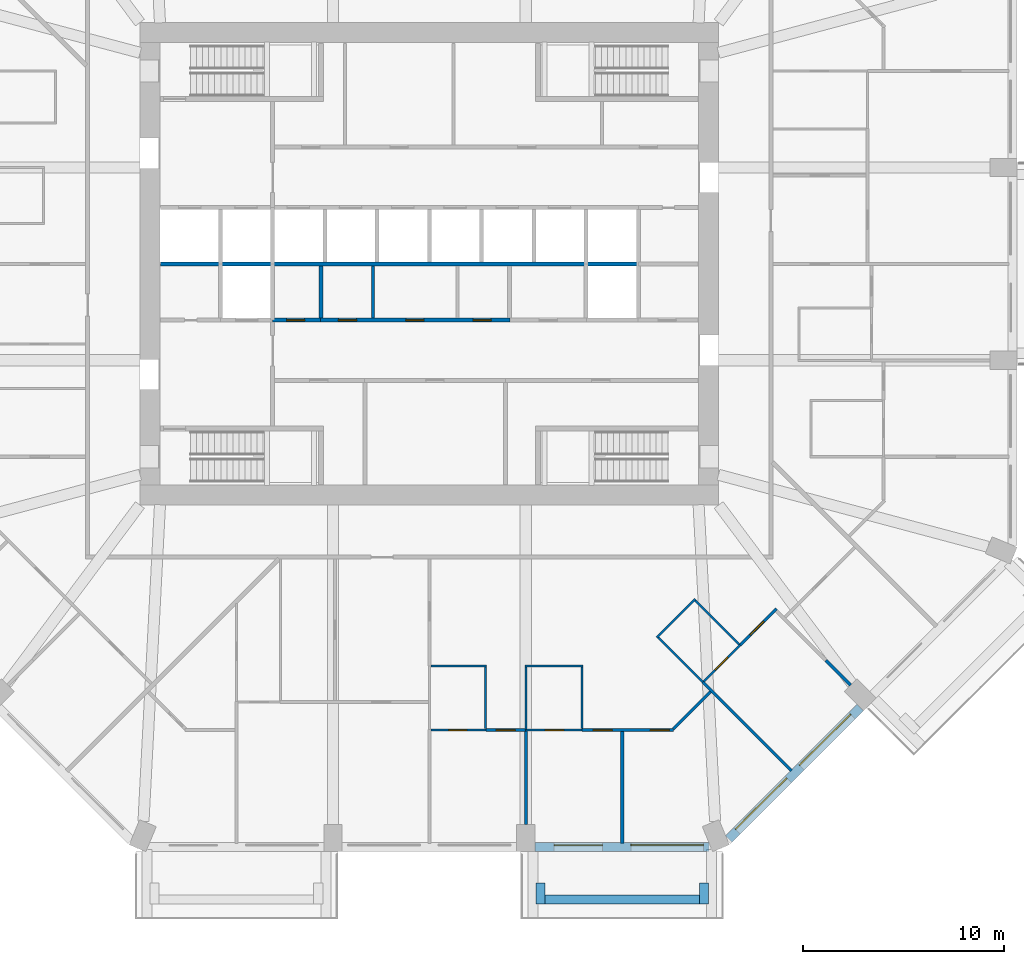
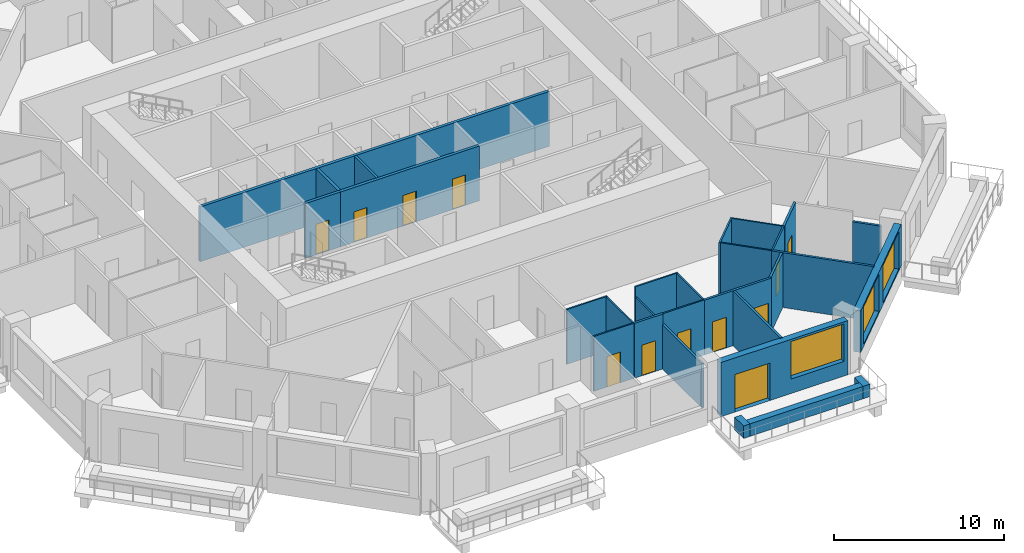
# One storey, part 5 of 13: 29 walls, 12 doors, 3 windows, 15 openings.
"""IFC4 building model written with IfcOpenShell, lengths in metres."""

import ifcopenshell
import ifcopenshell.guid

model = None  # the IFC model being written
_history = None  # IfcOwnerHistory: only IFC2X3 demands one
_inside = {}  # id of a spatial element -> (the spatial element, [elements in it])
_under = {}  # id of a project, library or spatial element -> (it, [spatial elements below it])
_declared = {}  # id of a project -> (the project, [libraries it declares])
_typed = {}  # id of a type object -> (the type object, [elements of that type])
_made_of = {}  # id of a material, layer set ... -> (it, [elements and type objects made of it])


def new_model(schema):
    """Start an empty IFC model of exactly this schema.

    Asked for "IFC4X3", IfcOpenShell would pick the latest addendum, in which some entities
    have other attributes; the version numbers below select the first issue.
    IFC2X3 requires an IfcOwnerHistory on every rooted entity: one is made here for all.
    """
    global model, _history
    if schema == "IFC4X3":
        model = ifcopenshell.file(schema_version=(4, 3, 0, 0))
    else:
        model = ifcopenshell.file(schema=schema)
    _inside.clear()
    _under.clear()
    _declared.clear()
    _typed.clear()
    _made_of.clear()
    _history = None
    if model.schema == "IFC2X3":
        org = make("IfcOrganization", Name="unknown")
        user = make(
            "IfcPersonAndOrganization",
            ThePerson=make("IfcPerson", FamilyName="unknown"),
            TheOrganization=org,
        )
        app = make(
            "IfcApplication",
            ApplicationDeveloper=org,
            Version="unknown",
            ApplicationFullName="unknown",
            ApplicationIdentifier="unknown",
        )
        _history = make(
            "IfcOwnerHistory",
            OwningUser=user,
            OwningApplication=app,
            ChangeAction="ADDED",
            CreationDate=0,
        )
    return model


def make(cls, **values):
    """One entity of the class cls with the attributes given. An attribute that is None is left unset."""
    return model.create_entity(
        cls, **{name: value for name, value in values.items() if value is not None}
    )


def rooted(cls, **values):
    """An entity with a GlobalId (a new one), such as an element, a storey or a relation."""
    return make(cls, GlobalId=ifcopenshell.guid.new(), OwnerHistory=_history, **values)


def si_unit(unit_type, name, prefix=None):
    """IfcSIUnit, for example si_unit("LENGTHUNIT", "METRE", prefix="MILLI")."""
    return make("IfcSIUnit", UnitType=unit_type, Prefix=prefix, Name=name)


def assignment(units):
    """IfcUnitAssignment: the units of a project."""
    return None if units is None else make("IfcUnitAssignment", Units=units)


def point(xyz):
    """IfcCartesianPoint."""
    return None if xyz is None else make("IfcCartesianPoint", Coordinates=xyz)


def direction(xyz):
    """IfcDirection."""
    return None if xyz is None else make("IfcDirection", DirectionRatios=xyz)


def frame(location, z_axis=None, x_axis=None):
    """IfcAxis2Placement3D, a coordinate frame: its origin and axes. An axis left out is left unset."""
    return make(
        "IfcAxis2Placement3D",
        Location=point(location),
        Axis=direction(z_axis),
        RefDirection=direction(x_axis),
    )


def frame_2d(location, x_axis=None):
    """IfcAxis2Placement2D, a coordinate frame in the plane: its origin and x axis."""
    return make(
        "IfcAxis2Placement2D", Location=point(location), RefDirection=direction(x_axis)
    )


def origin():
    """The frame at (0, 0, 0) with its axes left unset."""
    return frame((0.0, 0.0, 0.0))


def place(relative_to, where):
    """IfcLocalPlacement: puts the frame where relative to a parent placement (None: the world)."""
    return make(
        "IfcLocalPlacement", PlacementRelTo=relative_to, RelativePlacement=where
    )


def context(
    kind, dimensions, precision=None, world=None, true_north=None, identifier=None
):
    """IfcGeometricRepresentationContext, for example the 3D "Model" context."""
    return make(
        "IfcGeometricRepresentationContext",
        ContextIdentifier=identifier,
        ContextType=kind,
        CoordinateSpaceDimension=dimensions,
        Precision=precision,
        WorldCoordinateSystem=world,
        TrueNorth=true_north,
    )


def subcontext(parent, identifier, kind, view, scale=None):
    """IfcGeometricRepresentationSubContext, for example "Body" below "Model"."""
    return make(
        "IfcGeometricRepresentationSubContext",
        ContextIdentifier=identifier,
        ContextType=kind,
        ParentContext=parent,
        TargetScale=scale,
        TargetView=view,
    )


def project(units=None, contexts=None):
    """IfcProject with its units and contexts."""
    return rooted(
        "IfcProject",
        Name="project",
        RepresentationContexts=contexts,
        UnitsInContext=assignment(units),
    )


def spatial(cls, under=None, at=None, **own):
    """A site, building, storey or space (cls), placed at a placement, below another one or the project."""
    s = rooted(cls, ObjectPlacement=at, **own)
    if under is not None:
        _under.setdefault(under.id(), (under, []))[1].append(s)
    return s


def profile(cls, at=None, kind="AREA", **sizes):
    """A parametric profile (cls). Its sizes go by their IFC names, for example OverallWidth=200.0."""
    return make(cls, ProfileType=kind, Position=at, **sizes)


def rectangle(**sizes):
    """IfcRectangleProfileDef."""
    return profile("IfcRectangleProfileDef", **sizes)


def extrude(swept, where, along, depth):
    """IfcExtrudedAreaSolid: the profile swept, set in the frame where, extruded along a direction by depth."""
    return make(
        "IfcExtrudedAreaSolid",
        SweptArea=swept,
        Position=where,
        ExtrudedDirection=direction(along),
        Depth=depth,
    )


def shape(context_of_items, identifier, shape_type, items):
    """IfcShapeRepresentation: the items that make up one representation, for example the "Body"."""
    return make(
        "IfcShapeRepresentation",
        ContextOfItems=context_of_items,
        RepresentationIdentifier=identifier,
        RepresentationType=shape_type,
        Items=items,
    )


def material(Name=None, Category=None):
    """IfcMaterial."""
    return make("IfcMaterial", Name=Name, Category=Category)


def layer(
    of_material, thickness, ventilated=None, Name=None, Category=None, Priority=None
):
    """IfcMaterialLayer: one layer of a wall or slab, of a material (None: an air gap)."""
    return make(
        "IfcMaterialLayer",
        Material=of_material,
        LayerThickness=thickness,
        IsVentilated=ventilated,
        Name=Name,
        Category=Category,
        Priority=Priority,
    )


def layer_set(layers, Name=None):
    """IfcMaterialLayerSet."""
    return make("IfcMaterialLayerSet", MaterialLayers=layers, LayerSetName=Name)


def made_of(thing, what):
    """Note that an element or type object is made of a material, layer set ...; save() writes the relation."""
    if what is not None:
        _made_of.setdefault(what.id(), (what, []))[1].append(thing)
    return thing


def type_object(cls, material=None, **own):
    """A type object (cls), such as IfcWallType, which elements share."""
    return made_of(rooted(cls, **own), material)


def element(
    cls,
    number,
    at=None,
    inside=None,
    cuts=None,
    type_object=None,
    material=None,
    context=None,
    identifier="Body",
    shape_type=None,
    held_by="IfcProductDefinitionShape",
    body=None,
    shapes=None,
    **own,
):
    """One element of the class cls, such as IfcWall. Its Tag is "e" and its number.

    at: its placement. inside: the storey or other place that contains it. cuts: it is an
    opening in that element (IfcRelVoidsElement). A single representation is given by context,
    identifier, shape_type and body (its items); several are given by shapes. held_by: the class
    of the entity that holds the representations. save() writes the other relations.
    """
    e = rooted(cls, Tag="e%d" % number, ObjectPlacement=at, **own)
    if body is not None:
        shapes = [shape(context, identifier, shape_type, body)]
    if shapes is not None:
        e.Representation = make(held_by, Representations=shapes)
    if inside is not None:
        _inside.setdefault(inside.id(), (inside, []))[1].append(e)
    if cuts is not None:
        rooted(
            "IfcRelVoidsElement", RelatingBuildingElement=cuts, RelatedOpeningElement=e
        )
    if type_object is not None:
        _typed.setdefault(type_object.id(), (type_object, []))[1].append(e)
    return made_of(e, material)


def fill(opening, filler):
    """IfcRelFillsElement: the door or window that sits in an opening."""
    return rooted(
        "IfcRelFillsElement",
        RelatingOpeningElement=opening,
        RelatedBuildingElement=filler,
    )


def aggregate(whole, parts):
    """IfcRelAggregates: a whole, such as a stair, and the parts it consists of."""
    return rooted("IfcRelAggregates", RelatingObject=whole, RelatedObjects=parts)


def save(model, path):
    """Write the relations noted so far, then the file.

    IfcRelAggregates (storeys below a building ...), IfcRelContainedInSpatialStructure (elements
    in a storey), IfcRelDefinesByType, IfcRelAssociatesMaterial and IfcRelDeclares: one each for
    every whole, place, type object, material and project.
    """
    for whole, parts in _under.values():
        aggregate(whole, parts)
    for where, things in _inside.values():
        rooted(
            "IfcRelContainedInSpatialStructure",
            RelatedElements=things,
            RelatingStructure=where,
        )
    for kind, things in _typed.values():
        rooted("IfcRelDefinesByType", RelatedObjects=things, RelatingType=kind)
    for what, things in _made_of.values():
        rooted("IfcRelAssociatesMaterial", RelatedObjects=things, RelatingMaterial=what)
    for by, libraries in _declared.values():
        rooted("IfcRelDeclares", RelatingContext=by, RelatedDefinitions=libraries)
    model.write(path)


model = new_model("IFC4")

# Units and contexts
model_context = context("Model", 3, precision=1e-05, world=origin(), true_north=direction((0.0, 1.0)))
body_context = subcontext(model_context, "Body", "Model", "MODEL_VIEW")
ifc_project = project(units=[si_unit("LENGTHUNIT", "METRE"), si_unit("AREAUNIT", "SQUARE_METRE"), si_unit("VOLUMEUNIT", "CUBIC_METRE"), si_unit("PLANEANGLEUNIT", "RADIAN"), si_unit("MASSUNIT", "GRAM", prefix="KILO")], contexts=[model_context])

# Site, building, storey
site_placement = place(None, origin())
site = spatial("IfcSite", under=ifc_project, at=site_placement, CompositionType="ELEMENT")
building_placement = place(site_placement, origin())
building = spatial("IfcBuilding", under=site, at=building_placement, Name="Msitu Wima Residences", CompositionType="ELEMENT")
storey_placement = place(building_placement, frame((0.0, 0.0, 71.699951171875)))
storey = spatial("IfcBuildingStorey", under=building, at=storey_placement, Name="L16", CompositionType="ELEMENT", Elevation=71.699951171875)

# Walls
ifc_material_1 = material(Name="Facing brick")
ifc_layer_1 = layer(ifc_material_1, 0.06494140625, Name="Facing brick")
ifc_material_2 = material(Name="Concrete C40/50", Category="concrete")
ifc_layer_2 = layer(ifc_material_2, 0.156005859375, Name="Concrete C40/50")
ifc_material_3 = material(Name="Waterproofing membrane")
ifc_layer_3 = layer(ifc_material_3, 0.00390625, Name="Waterproofing membrane")
ifc_material_4 = material(Name="Planting soil and planting")
ifc_layer_4 = layer(ifc_material_4, 0.22509765625, Name="Planting soil and planting")
ifc_layer_set_1 = layer_set([ifc_layer_1, ifc_layer_2, ifc_layer_3, ifc_layer_4], Name="Concrete C40/50")
wall_type_1 = type_object("IfcWallType", Name="Balcony planter PLANTER PL450", PredefinedType="USERDEFINED", material=ifc_layer_set_1)
wall_1_placement = place(storey_placement, frame((5.75, -31.625, 0.0), z_axis=(0.0, 0.0, 1.0), x_axis=(1.0, 0.0, 0.0)))
element("IfcWall", 1, at=wall_1_placement, inside=storey, type_object=wall_type_1, Name="Balcony planter S2 L16", ObjectType="PLANTER", PredefinedType="USERDEFINED", context=body_context, shape_type="SweptSolid", body=[
    extrude(rectangle(XDim=7.699951171875, YDim=0.449951171875, at=frame_2d((3.85009765625, 0.0))), origin(), (0.0, 0.0, 1.0), 0.900146484375),
])
for number, where, z_axis, x_axis, name in (
    (2, (5.52490234375, -30.800048828125, 0.0), (0.0, 0.0, 1.0), (0.0, -1.0, 0.0), "Balcony planter S2 L16"),
    (3, (13.675048828125, -30.800048828125, 0.0), (0.0, 0.0, 1.0), (0.0, -1.0, 0.0), "Balcony planter S2 L16"),
):
    element("IfcWall", number, at=place(storey_placement, frame(where, z_axis=z_axis, x_axis=x_axis)), inside=storey, type_object=wall_type_1, Name=name, ObjectType="PLANTER", PredefinedType="USERDEFINED", context=body_context, shape_type="SweptSolid", body=[
        extrude(rectangle(XDim=1.050048828125, YDim=0.449951171875, at=frame_2d((0.52490234375, 0.0))), origin(), (0.0, 0.0, 1.0), 0.900146484375),
    ])

# Wall, openings, door, window
ifc_material_5 = material(Name="Brick (red buff mix)", Category="masonry")
ifc_layer_5 = layer(ifc_material_5, 0.449951171875)
ifc_layer_set_2 = layer_set([ifc_layer_5], Name="Brick (red buff mix)")
wall_type_2 = type_object("IfcWallType", Name="Brick infill wall BW450", PredefinedType="SOLIDWALL", material=ifc_layer_set_2)
wall_2_placement = place(storey_placement, frame((5.25, -29.02490234375, 0.0), z_axis=(0.0, 0.0, 1.0), x_axis=(1.0, 0.0, 0.0)))
wall_2 = element("IfcWall", 4, at=wall_2_placement, inside=storey, type_object=wall_type_2, Name="Brick infill wall L16 S2", PredefinedType="SOLIDWALL", context=body_context, shape_type="SweptSolid", body=[
    extrude(rectangle(XDim=8.662841796875, YDim=0.449951171875, at=frame_2d((4.33154296875, 0.0))), origin(), (0.0, 0.0, 1.0), 3.900146484375),
])
opening_1_placement = place(wall_2_placement, frame((0.9658203125, 0.0, 0.0)))
opening_1 = element("IfcOpeningElement", 5, at=opening_1_placement, cuts=wall_2, Name="Opening D16-17.007", PredefinedType="OPENING", context=body_context, shape_type="SweptSolid", body=[
    extrude(rectangle(XDim=2.39990234375, YDim=2.699951171875, at=frame_2d((1.199951171875, 1.35009765625))), frame((0.0, 0.23486328125, 0.0), z_axis=(0.0, -1.0, 0.0), x_axis=(1.0, 0.0, 0.0)), (0.0, 0.0, 1.0), 0.469970703125),
])
opening_2_placement = place(wall_2_placement, frame((4.781494140625, 0.0, 1.050048828125)))
opening_2 = element("IfcOpeningElement", 6, at=opening_2_placement, cuts=wall_2, Name="Opening W16-17.019", PredefinedType="OPENING", context=body_context, shape_type="SweptSolid", body=[
    extrude(rectangle(XDim=3.60009765625, YDim=2.699951171875, at=frame_2d((1.800048828125, 1.35009765625))), frame((0.0, 0.23486328125, 0.0), z_axis=(0.0, -1.0, 0.0), x_axis=(1.0, 0.0, 0.0)), (0.0, 0.0, 1.0), 0.469970703125),
])
ifc_material_6 = material(Name="Anodised aluminium, bronze finish, clear low-emissivity double glazing", Category="aluminium")
door_type_1 = type_object("IfcDoorType", Name="Balcony door D2400x2700", OperationType="SLIDING_TO_LEFT", PredefinedType="DOOR", material=ifc_material_6)
door_1_placement = place(opening_1_placement, origin())
door_1 = element("IfcDoor", 7, at=door_1_placement, inside=storey, type_object=door_type_1, Name="Balcony door L16 S2", OperationType="SINGLE_SWING_LEFT", OverallHeight=2.699951171875, OverallWidth=2.39990234375, PredefinedType="DOOR", context=body_context, shape_type="SweptSolid", body=[
    extrude(rectangle(XDim=2.39990234375, YDim=2.699951171875, at=frame_2d((1.199951171875, 1.35009765625))), frame((0.0, 0.1298828125, 0.0), z_axis=(0.0, -1.0, 0.0), x_axis=(1.0, 0.0, 0.0)), (0.0, 0.0, 1.0), 0.050048828125),
])
fill(opening_1, door_1)
window_type = type_object("IfcWindowType", Name="Window W3600x2700", PartitioningType="DOUBLE_PANEL_VERTICAL", PredefinedType="WINDOW", material=ifc_material_6)
window_1_placement = place(opening_2_placement, origin())
window_1 = element("IfcWindow", 8, at=window_1_placement, inside=storey, type_object=window_type, Name="Window L16 S2.2", OverallHeight=2.699951171875, OverallWidth=3.60009765625, PartitioningType="SINGLE_PANEL", PredefinedType="WINDOW", context=body_context, shape_type="SweptSolid", body=[
    extrude(rectangle(XDim=3.60009765625, YDim=2.699951171875, at=frame_2d((1.800048828125, 1.35009765625))), frame((0.0, 0.135009765625, 0.0), z_axis=(0.0, -1.0, 0.0), x_axis=(1.0, 0.0, 0.0)), (0.0, 0.0, 1.0), 0.06005859375),
])
fill(opening_2, window_1)

# Wall, openings, windows
wall_3_placement = place(storey_placement, frame((14.903564453125, -28.61474609375, 0.900146484375), z_axis=(0.0, 0.0, 1.0), x_axis=(0.707106781187, 0.707106781187, 0.0)))
wall_3 = element("IfcWall", 9, at=wall_3_placement, inside=storey, type_object=wall_type_2, Name="Brick infill wall L16 SE0", PredefinedType="SOLIDWALL", context=body_context, shape_type="SweptSolid", body=[
    extrude(rectangle(XDim=9.2451171875, YDim=0.449951171875, at=frame_2d((4.62255859375, 0.0))), origin(), (0.0, 0.0, 1.0), 3.0),
])
opening_3_placement = place(wall_3_placement, frame((0.572509765625, 0.0, 0.14990234375)))
opening_3 = element("IfcOpeningElement", 10, at=opening_3_placement, cuts=wall_3, Name="Opening W16-17.020", PredefinedType="OPENING", context=body_context, shape_type="SweptSolid", body=[
    extrude(rectangle(XDim=3.60009765625, YDim=2.699951171875, at=frame_2d((1.800048828125, 1.35009765625))), frame((0.0, 0.23486328125, 0.0), z_axis=(0.0, -1.0, 0.0), x_axis=(1.0, 0.0, 0.0)), (0.0, 0.0, 1.0), 0.469970703125),
])
opening_4_placement = place(wall_3_placement, frame((5.072509765625, 0.0, 0.14990234375)))
opening_4 = element("IfcOpeningElement", 11, at=opening_4_placement, cuts=wall_3, Name="Opening W16-17.021", PredefinedType="OPENING", context=body_context, shape_type="SweptSolid", body=[
    extrude(rectangle(XDim=3.60009765625, YDim=2.699951171875, at=frame_2d((1.800048828125, 1.35009765625))), frame((0.0, 0.23486328125, 0.0), z_axis=(0.0, -1.0, 0.0), x_axis=(1.0, 0.0, 0.0)), (0.0, 0.0, 1.0), 0.469970703125),
])
window_2_placement = place(opening_3_placement, origin())
window_2 = element("IfcWindow", 12, at=window_2_placement, inside=storey, type_object=window_type, Name="Window L16 SE0.1", OverallHeight=2.699951171875, OverallWidth=3.60009765625, PartitioningType="SINGLE_PANEL", PredefinedType="WINDOW", context=body_context, shape_type="SweptSolid", body=[
    extrude(rectangle(XDim=3.60009765625, YDim=2.699951171875, at=frame_2d((1.800048828125, 1.35009765625))), frame((0.0, 0.135009765625, 0.0), z_axis=(0.0, -1.0, 0.0), x_axis=(1.0, 0.0, 0.0)), (0.0, 0.0, 1.0), 0.06005859375),
])
fill(opening_3, window_2)
window_3_placement = place(opening_4_placement, origin())
window_3 = element("IfcWindow", 13, at=window_3_placement, inside=storey, type_object=window_type, Name="Window L16 SE0.2", OverallHeight=2.699951171875, OverallWidth=3.60009765625, PartitioningType="SINGLE_PANEL", PredefinedType="WINDOW", context=body_context, shape_type="SweptSolid", body=[
    extrude(rectangle(XDim=3.60009765625, YDim=2.699951171875, at=frame_2d((1.800048828125, 1.35009765625))), frame((0.0, 0.135009765625, 0.0), z_axis=(0.0, -1.0, 0.0), x_axis=(1.0, 0.0, 0.0)), (0.0, 0.0, 1.0), 0.06005859375),
])
fill(opening_4, window_3)

# Wall, openings, doors
ifc_material_7 = material(Name="Plaster")
ifc_layer_6 = layer(ifc_material_7, 0.011962890625, Name="Plaster")
ifc_material_8 = material(Name="Concrete blockwork", Category="masonry")
ifc_layer_7 = layer(ifc_material_8, 0.176025390625, Name="Concrete blockwork")
ifc_layer_8 = layer(ifc_material_7, 0.011962890625, Name="Plaster")
ifc_layer_set_3 = layer_set([ifc_layer_6, ifc_layer_7, ifc_layer_8], Name="Concrete blockwork")
wall_type_3 = type_object("IfcWallType", Name="Corridor wall FW200", PredefinedType="PARTITIONING", material=ifc_layer_set_3)
wall_4_placement = place(storey_placement, frame((-5.419921875, -2.800048828125, 0.0), z_axis=(0.0, 0.0, 1.0), x_axis=(1.0, 0.0, 0.0)))
wall_4 = element("IfcWall", 14, at=wall_4_placement, inside=storey, type_object=wall_type_3, Name="Corridor wall", PredefinedType="PARTITIONING", context=body_context, shape_type="SweptSolid", body=[
    extrude(rectangle(XDim=9.43994140625, YDim=0.199951171875, at=frame_2d((4.719970703125, 0.0))), origin(), (0.0, 0.0, 1.0), 3.949951171875),
])
opening_5_placement = place(wall_4_placement, frame((0.89990234375, 0.0, 0.0)))
opening_5 = element("IfcOpeningElement", 15, at=opening_5_placement, cuts=wall_4, Name="Opening D16-17.032", PredefinedType="OPENING", context=body_context, shape_type="SweptSolid", body=[
    extrude(rectangle(XDim=0.89990234375, YDim=2.199951171875, at=frame_2d((0.449951171875, 1.10009765625))), frame((0.0, 0.10986328125, 0.0), z_axis=(0.0, -1.0, 0.0), x_axis=(1.0, 0.0, 0.0)), (0.0, 0.0, 1.0), 0.219970703125),
])
opening_6_placement = place(wall_4_placement, frame((4.25, 0.0, 0.0)))
opening_6 = element("IfcOpeningElement", 16, at=opening_6_placement, cuts=wall_4, Name="Opening D16-17.033", PredefinedType="OPENING", context=body_context, shape_type="SweptSolid", body=[
    extrude(rectangle(XDim=0.89990234375, YDim=2.199951171875, at=frame_2d((0.449951171875, 1.10009765625))), frame((0.0, 0.10986328125, 0.0), z_axis=(0.0, -1.0, 0.0), x_axis=(1.0, 0.0, 0.0)), (0.0, 0.0, 1.0), 0.219970703125),
])
opening_7_placement = place(wall_4_placement, frame((7.60009765625, 0.0, 0.0)))
opening_7 = element("IfcOpeningElement", 17, at=opening_7_placement, cuts=wall_4, Name="Opening D16-17.034", PredefinedType="OPENING", context=body_context, shape_type="SweptSolid", body=[
    extrude(rectangle(XDim=0.89990234375, YDim=2.199951171875, at=frame_2d((0.449951171875, 1.10009765625))), frame((0.0, 0.10986328125, 0.0), z_axis=(0.0, -1.0, 0.0), x_axis=(1.0, 0.0, 0.0)), (0.0, 0.0, 1.0), 0.219970703125),
])
ifc_material_9 = material(Name="Timber flush door", Category="wood")
door_type_2 = type_object("IfcDoorType", Name="Service door D05 900x2200", OperationType="SINGLE_SWING_LEFT", PredefinedType="DOOR", material=ifc_material_9)
door_2_placement = place(opening_5_placement, origin())
door_2 = element("IfcDoor", 18, at=door_2_placement, inside=storey, type_object=door_type_2, Name="Service door", OperationType="SINGLE_SWING_RIGHT", OverallHeight=2.199951171875, OverallWidth=0.89990234375, PredefinedType="DOOR", context=body_context, shape_type="SweptSolid", body=[
    extrude(rectangle(XDim=0.89990234375, YDim=2.199951171875, at=frame_2d((0.449951171875, 1.10009765625))), frame((0.0, 0.02490234375, 0.0), z_axis=(0.0, -1.0, 0.0), x_axis=(1.0, 0.0, 0.0)), (0.0, 0.0, 1.0), 0.050048828125),
])
fill(opening_5, door_2)
door_3_placement = place(opening_6_placement, origin())
door_3 = element("IfcDoor", 19, at=door_3_placement, inside=storey, type_object=door_type_2, Name="Service door", OperationType="SINGLE_SWING_LEFT", OverallHeight=2.199951171875, OverallWidth=0.89990234375, PredefinedType="DOOR", context=body_context, shape_type="SweptSolid", body=[
    extrude(rectangle(XDim=0.89990234375, YDim=2.199951171875, at=frame_2d((0.449951171875, 1.10009765625))), frame((0.0, 0.02490234375, 0.0), z_axis=(0.0, -1.0, 0.0), x_axis=(1.0, 0.0, 0.0)), (0.0, 0.0, 1.0), 0.050048828125),
])
fill(opening_6, door_3)
door_4_placement = place(opening_7_placement, origin())
door_4 = element("IfcDoor", 20, at=door_4_placement, inside=storey, type_object=door_type_2, Name="Service door", OperationType="SINGLE_SWING_LEFT", OverallHeight=2.199951171875, OverallWidth=0.89990234375, PredefinedType="DOOR", context=body_context, shape_type="SweptSolid", body=[
    extrude(rectangle(XDim=0.89990234375, YDim=2.199951171875, at=frame_2d((0.449951171875, 1.10009765625))), frame((0.0, 0.02490234375, 0.0), z_axis=(0.0, -1.0, 0.0), x_axis=(1.0, 0.0, 0.0)), (0.0, 0.0, 1.0), 0.050048828125),
])
fill(opening_7, door_4)

# Wall
ifc_layer_9 = layer(ifc_material_7, 0.011962890625, Name="Plaster")
ifc_layer_10 = layer(ifc_material_8, 0.1259765625, Name="Concrete blockwork")
ifc_layer_11 = layer(ifc_material_7, 0.011962890625, Name="Plaster")
ifc_layer_set_4 = layer_set([ifc_layer_9, ifc_layer_10, ifc_layer_11], Name="Concrete blockwork")
wall_type_4 = type_object("IfcWallType", Name="Partition PW150", PredefinedType="PARTITIONING", material=ifc_layer_set_4)
wall_5_placement = place(storey_placement, frame((-2.800048828125, -2.699951171875, 0.0), z_axis=(0.0, 0.0, 1.0), x_axis=(0.0, 1.0, 0.0)))
element("IfcWall", 21, at=wall_5_placement, inside=storey, type_object=wall_type_4, Name="Partition", PredefinedType="PARTITIONING", context=body_context, shape_type="SweptSolid", body=[
    extrude(rectangle(XDim=2.599853515625, YDim=0.14990234375, at=frame_2d((1.2998046875, 0.0))), origin(), (0.0, 0.0, 1.0), 3.949951171875),
])

# Wall, opening, door
wall_6_placement = place(storey_placement, frame((2.820068359375, -23.199951171875, 0.0), z_axis=(0.0, 0.0, 1.0), x_axis=(1.0, 0.0, 0.0)))
wall_6 = element("IfcWall", 22, at=wall_6_placement, inside=storey, type_object=wall_type_4, Name="Partition", PredefinedType="PARTITIONING", context=body_context, shape_type="SweptSolid", body=[
    extrude(rectangle(XDim=1.9599609375, YDim=0.14990234375, at=frame_2d((0.97998046875, 0.0))), origin(), (0.0, 0.0, 1.0), 3.949951171875),
])
opening_8_placement = place(wall_6_placement, frame((0.5, 0.0, 0.0)))
opening_8 = element("IfcOpeningElement", 23, at=opening_8_placement, cuts=wall_6, Name="Opening D16-17.066", PredefinedType="OPENING", context=body_context, shape_type="SweptSolid", body=[
    extrude(rectangle(XDim=0.949951171875, YDim=2.199951171875, at=frame_2d((0.47509765625, 1.10009765625))), frame((0.0, 0.0849609375, 0.0), z_axis=(0.0, -1.0, 0.0), x_axis=(1.0, 0.0, 0.0)), (0.0, 0.0, 1.0), 0.169921875),
])
door_type_3 = type_object("IfcDoorType", Name="Room door D12 950x2200", OperationType="SINGLE_SWING_LEFT", PredefinedType="DOOR", material=ifc_material_9)
door_5_placement = place(opening_8_placement, origin())
door_5 = element("IfcDoor", 24, at=door_5_placement, inside=storey, type_object=door_type_3, Name="Room door", OperationType="SINGLE_SWING_LEFT", OverallHeight=2.199951171875, OverallWidth=0.949951171875, PredefinedType="DOOR", context=body_context, shape_type="SweptSolid", body=[
    extrude(rectangle(XDim=0.949951171875, YDim=2.199951171875, at=frame_2d((0.47509765625, 1.10009765625))), frame((0.0, 0.02490234375, 0.0), z_axis=(0.0, -1.0, 0.0), x_axis=(1.0, 0.0, 0.0)), (0.0, 0.0, 1.0), 0.050048828125),
])
fill(opening_8, door_5)

# Wall
wall_7_placement = place(storey_placement, frame((4.800048828125, -27.89990234375, 0.0), z_axis=(0.0, 0.0, 1.0), x_axis=(0.0, 1.0, 0.0)))
element("IfcWall", 25, at=wall_7_placement, inside=storey, type_object=wall_type_4, Name="Partition", PredefinedType="PARTITIONING", context=body_context, shape_type="SweptSolid", body=[
    extrude(rectangle(XDim=4.719970703125, YDim=0.14990234375, at=frame_2d((2.35986328125, 0.0))), origin(), (0.0, 0.0, 1.0), 3.199951171875),
])

# Wall, openings, doors
wall_8_placement = place(storey_placement, frame((7.60009765625, -23.199951171875, 0.0), z_axis=(0.0, 0.0, 1.0), x_axis=(1.0, 0.0, 0.0)))
wall_8 = element("IfcWall", 26, at=wall_8_placement, inside=storey, type_object=wall_type_4, Name="Partition", PredefinedType="PARTITIONING", context=body_context, shape_type="SweptSolid", body=[
    extrude(rectangle(XDim=4.555419921875, YDim=0.14990234375, at=frame_2d((2.27783203125, 0.0))), origin(), (0.0, 0.0, 1.0), 3.949951171875),
])
opening_9_placement = place(wall_8_placement, frame((0.550048828125, 0.0, 0.0)))
opening_9 = element("IfcOpeningElement", 27, at=opening_9_placement, cuts=wall_8, Name="Opening D16-17.063", PredefinedType="OPENING", context=body_context, shape_type="SweptSolid", body=[
    extrude(rectangle(XDim=0.949951171875, YDim=2.199951171875, at=frame_2d((0.47509765625, 1.10009765625))), frame((0.0, 0.0849609375, 0.0), z_axis=(0.0, -1.0, 0.0), x_axis=(1.0, 0.0, 0.0)), (0.0, 0.0, 1.0), 0.169921875),
])
opening_10_placement = place(wall_8_placement, frame((3.39990234375, 0.0, 0.0)))
opening_10 = element("IfcOpeningElement", 28, at=opening_10_placement, cuts=wall_8, Name="Opening D16-17.071", PredefinedType="OPENING", context=body_context, shape_type="SweptSolid", body=[
    extrude(rectangle(XDim=0.949951171875, YDim=2.199951171875, at=frame_2d((0.47509765625, 1.10009765625))), frame((0.0, 0.0849609375, 0.0), z_axis=(0.0, -1.0, 0.0), x_axis=(1.0, 0.0, 0.0)), (0.0, 0.0, 1.0), 0.169921875),
])
door_6_placement = place(opening_9_placement, origin())
door_6 = element("IfcDoor", 29, at=door_6_placement, inside=storey, type_object=door_type_3, Name="Room door", OperationType="SINGLE_SWING_LEFT", OverallHeight=2.199951171875, OverallWidth=0.949951171875, PredefinedType="DOOR", context=body_context, shape_type="SweptSolid", body=[
    extrude(rectangle(XDim=0.949951171875, YDim=2.199951171875, at=frame_2d((0.47509765625, 1.10009765625))), frame((0.0, 0.02490234375, 0.0), z_axis=(0.0, -1.0, 0.0), x_axis=(1.0, 0.0, 0.0)), (0.0, 0.0, 1.0), 0.050048828125),
])
fill(opening_9, door_6)
door_7_placement = place(opening_10_placement, origin())
door_7 = element("IfcDoor", 30, at=door_7_placement, inside=storey, type_object=door_type_3, Name="Room door", OperationType="SINGLE_SWING_RIGHT", OverallHeight=2.199951171875, OverallWidth=0.949951171875, PredefinedType="DOOR", context=body_context, shape_type="SweptSolid", body=[
    extrude(rectangle(XDim=0.949951171875, YDim=2.199951171875, at=frame_2d((0.47509765625, 1.10009765625))), frame((0.0, 0.02490234375, 0.0), z_axis=(0.0, -1.0, 0.0), x_axis=(1.0, 0.0, 0.0)), (0.0, 0.0, 1.0), 0.050048828125),
])
fill(opening_10, door_7)

# Walls
wall_9_placement = place(storey_placement, frame((9.60009765625, -28.85498046875, 0.0), z_axis=(0.0, 0.0, 1.0), x_axis=(0.0, 1.0, 0.0)))
element("IfcWall", 31, at=wall_9_placement, inside=storey, type_object=wall_type_4, Name="Partition", PredefinedType="PARTITIONING", context=body_context, shape_type="SweptSolid", body=[
    extrude(rectangle(XDim=5.580078125, YDim=0.14990234375, at=frame_2d((2.7900390625, 0.0))), origin(), (0.0, 0.0, 1.0), 3.949951171875),
])
wall_10_placement = place(storey_placement, frame((12.133544921875, -23.14697265625, 0.0), z_axis=(0.0, 0.0, 1.0), x_axis=(0.707060213517, 0.70715334579, 0.0)))
element("IfcWall", 32, at=wall_10_placement, inside=storey, type_object=wall_type_4, Name="Partition", PredefinedType="PARTITIONING", context=body_context, shape_type="SweptSolid", body=[
    extrude(rectangle(XDim=2.621337890625, YDim=0.14990234375, at=frame_2d((1.310546875, 0.0))), origin(), (0.0, 0.0, 1.0), 3.949951171875),
])
wall_11_placement = place(storey_placement, frame((13.601806640625, -20.8017578125, 0.0), z_axis=(0.0, 0.0, 1.0), x_axis=(0.707087234081, -0.707126327752, 0.0)))
element("IfcWall", 33, at=wall_11_placement, inside=storey, type_object=wall_type_4, Name="Partition", PredefinedType="PARTITIONING", context=body_context, shape_type="SweptSolid", body=[
    extrude(rectangle(XDim=6.2451171875, YDim=0.14990234375, at=frame_2d((3.12255859375, 0.0))), origin(), (0.0, 0.0, 1.0), 3.949951171875),
])

# Wall, opening, door
wall_12_placement = place(storey_placement, frame((15.468505859375, -18.96337890625, 0.0), z_axis=(0.0, 0.0, 1.0), x_axis=(0.707106781187, 0.707106781187, 0.0)))
wall_12 = element("IfcWall", 34, at=wall_12_placement, inside=storey, type_object=wall_type_4, Name="Partition", PredefinedType="PARTITIONING", context=body_context, shape_type="SweptSolid", body=[
    extrude(rectangle(XDim=2.54638671875, YDim=0.14990234375, at=frame_2d((1.273193359375, 0.0))), origin(), (0.0, 0.0, 1.0), 3.949951171875),
])
opening_11_placement = place(wall_12_placement, frame((0.699951171875, 0.0, 0.0)))
opening_11 = element("IfcOpeningElement", 35, at=opening_11_placement, cuts=wall_12, Name="Opening D16-17.069", PredefinedType="OPENING", context=body_context, shape_type="SweptSolid", body=[
    extrude(rectangle(XDim=0.949951171875, YDim=2.199951171875, at=frame_2d((0.47509765625, 1.10009765625))), frame((0.0, 0.0849609375, 0.0), z_axis=(0.0, -1.0, 0.0), x_axis=(1.0, 0.0, 0.0)), (0.0, 0.0, 1.0), 0.169921875),
])
door_8_placement = place(opening_11_placement, origin())
door_8 = element("IfcDoor", 36, at=door_8_placement, inside=storey, type_object=door_type_3, Name="Room door", OperationType="SINGLE_SWING_LEFT", OverallHeight=2.199951171875, OverallWidth=0.949951171875, PredefinedType="DOOR", context=body_context, shape_type="SweptSolid", body=[
    extrude(rectangle(XDim=0.949951171875, YDim=2.199951171875, at=frame_2d((0.47509765625, 1.10009765625))), frame((0.0, 0.02490234375, 0.0), z_axis=(0.0, -1.0, 0.0), x_axis=(1.0, 0.0, 0.0)), (0.0, 0.0, 1.0), 0.050048828125),
])
fill(opening_11, door_8)

# Wall
wall_13_placement = place(storey_placement, frame((19.727294921875, -19.727294921875, 0.0), z_axis=(0.0, 0.0, 1.0), x_axis=(0.707106781187, -0.707106781187, 0.0)))
element("IfcWall", 37, at=wall_13_placement, inside=storey, type_object=wall_type_4, Name="Partition", PredefinedType="PARTITIONING", context=body_context, shape_type="SweptSolid", body=[
    extrude(rectangle(XDim=1.74853515625, YDim=0.14990234375, at=frame_2d((0.874267578125, 0.0))), origin(), (0.0, 0.0, 1.0), 3.25),
])

# Wall, opening, door
ifc_layer_12 = layer(ifc_material_7, 0.011962890625, Name="Plaster")
ifc_material_10 = material(Name="Reinforced concrete blockwork", Category="masonry")
ifc_layer_13 = layer(ifc_material_10, 0.176025390625, Name="Reinforced concrete blockwork")
ifc_layer_14 = layer(ifc_material_7, 0.011962890625, Name="Plaster")
ifc_layer_set_5 = layer_set([ifc_layer_12, ifc_layer_13, ifc_layer_14], Name="Reinforced concrete blockwork")
wall_type_5 = type_object("IfcWallType", Name="Plant and riser wall PL200", PredefinedType="PARTITIONING", material=ifc_layer_set_5)
wall_14_placement = place(storey_placement, frame((-7.800048828125, -2.800048828125, 0.0), z_axis=(0.0, 0.0, 1.0), x_axis=(1.0, 0.0, 0.0)))
wall_14 = element("IfcWall", 38, at=wall_14_placement, inside=storey, type_object=wall_type_5, Name="Plant and riser wall", PredefinedType="PARTITIONING", context=body_context, shape_type="SweptSolid", body=[
    extrude(rectangle(XDim=2.380126953125, YDim=0.199951171875, at=frame_2d((1.18994140625, 0.0))), origin(), (0.0, 0.0, 1.0), 3.949951171875),
])
opening_12_placement = place(wall_14_placement, frame((0.699951171875, 0.0, 0.0)))
opening_12 = element("IfcOpeningElement", 39, at=opening_12_placement, cuts=wall_14, Name="Opening D16-17.031", PredefinedType="OPENING", context=body_context, shape_type="SweptSolid", body=[
    extrude(rectangle(XDim=0.89990234375, YDim=2.199951171875, at=frame_2d((0.449951171875, 1.10009765625))), frame((0.0, 0.10986328125, 0.0), z_axis=(0.0, -1.0, 0.0), x_axis=(1.0, 0.0, 0.0)), (0.0, 0.0, 1.0), 0.219970703125),
])
door_9_placement = place(opening_12_placement, origin())
door_9 = element("IfcDoor", 40, at=door_9_placement, inside=storey, type_object=door_type_2, Name="Service door", OperationType="SINGLE_SWING_LEFT", OverallHeight=2.199951171875, OverallWidth=0.89990234375, PredefinedType="DOOR", context=body_context, shape_type="SweptSolid", body=[
    extrude(rectangle(XDim=0.89990234375, YDim=2.199951171875, at=frame_2d((0.449951171875, 1.10009765625))), frame((0.0, 0.02490234375, 0.0), z_axis=(0.0, -1.0, 0.0), x_axis=(1.0, 0.0, 0.0)), (0.0, 0.0, 1.0), 0.050048828125),
])
fill(opening_12, door_9)

# Walls
wall_15_placement = place(storey_placement, frame((-5.39990234375, -2.699951171875, 0.0), z_axis=(0.0, 0.0, 1.0), x_axis=(0.0, 1.0, 0.0)))
element("IfcWall", 41, at=wall_15_placement, inside=storey, type_object=wall_type_5, Name="Plant and riser wall", PredefinedType="PARTITIONING", context=body_context, shape_type="SweptSolid", body=[
    extrude(rectangle(XDim=2.599853515625, YDim=0.199951171875, at=frame_2d((1.2998046875, 0.0))), origin(), (0.0, 0.0, 1.0), 3.949951171875),
])
ifc_material_11 = material(Name="Fire-rated board")
ifc_layer_15 = layer(ifc_material_11, 0.02490234375, Name="Fire-rated board")
ifc_material_12 = material(Name="Light-gauge stud framing with mineral wool")
ifc_layer_16 = layer(ifc_material_12, 0.14990234375, Name="Light-gauge stud framing with mineral wool")
ifc_layer_17 = layer(ifc_material_11, 0.02490234375, Name="Fire-rated board")
ifc_layer_set_6 = layer_set([ifc_layer_15, ifc_layer_16, ifc_layer_17], Name="Light-gauge stud framing with mineral wool")
wall_type_6 = type_object("IfcWallType", Name="Shaft wall SH200", PredefinedType="PARTITIONING", material=ifc_layer_set_6)
wall_16_placement = place(storey_placement, frame((-13.3701171875, 0.0, 0.0), z_axis=(0.0, 0.0, 1.0), x_axis=(1.0, 0.0, 0.0)))
element("IfcWall", 42, at=wall_16_placement, inside=storey, type_object=wall_type_6, Name="Shaft wall", PredefinedType="PARTITIONING", context=body_context, shape_type="SweptSolid", body=[
    extrude(rectangle(XDim=23.77001953125, YDim=0.199951171875, at=frame_2d((11.885009765625, 0.0))), origin(), (0.0, 0.0, 1.0), 3.949951171875),
])

# Wall, opening, door
ifc_material_13 = material(Name="Ceramic tiles")
ifc_layer_18 = layer(ifc_material_13, 0.008056640625, Name="Ceramic tiles")
ifc_material_14 = material(Name="Moisture-resistant board")
ifc_layer_19 = layer(ifc_material_14, 0.012451171875, Name="Moisture-resistant board")
ifc_layer_20 = layer(ifc_material_12, 0.06689453125, Name="Light-gauge stud framing with mineral wool")
ifc_layer_21 = layer(ifc_material_14, 0.012451171875, Name="Moisture-resistant board")
ifc_layer_set_7 = layer_set([ifc_layer_18, ifc_layer_19, ifc_layer_20, ifc_layer_21], Name="Light-gauge stud framing with mineral wool")
wall_type_7 = type_object("IfcWallType", Name="Wet wall PW100", PredefinedType="PARTITIONING", material=ifc_layer_set_7)
wall_17_placement = place(storey_placement, frame((0.074951171875, -23.199951171875, 0.0), z_axis=(0.0, 0.0, 1.0), x_axis=(1.0, 0.0, 0.0)))
wall_17 = element("IfcWall", 43, at=wall_17_placement, inside=storey, type_object=wall_type_7, Name="Wet wall", PredefinedType="PARTITIONING", context=body_context, shape_type="SweptSolid", body=[
    extrude(rectangle(XDim=2.7451171875, YDim=0.10009765625, at=frame_2d((1.37255859375, 0.0))), origin(), (0.0, 0.0, 1.0), 3.949951171875),
])
opening_13_placement = place(wall_17_placement, frame((0.89990234375, 0.0, 0.0)))
opening_13 = element("IfcOpeningElement", 44, at=opening_13_placement, cuts=wall_17, Name="Opening D16-17.067", PredefinedType="OPENING", context=body_context, shape_type="SweptSolid", body=[
    extrude(rectangle(XDim=0.89990234375, YDim=2.199951171875, at=frame_2d((0.449951171875, 1.10009765625))), frame((0.0, 0.06005859375, 0.0), z_axis=(0.0, -1.0, 0.0), x_axis=(1.0, 0.0, 0.0)), (0.0, 0.0, 1.0), 0.1201171875),
])
ifc_material_15 = material(Name="Timber flush door, moisture resistant", Category="wood")
door_type_4 = type_object("IfcDoorType", Name="Bathroom door D03 900x2200", OperationType="SINGLE_SWING_LEFT", PredefinedType="DOOR", material=ifc_material_15)
door_10_placement = place(opening_13_placement, origin())
door_10 = element("IfcDoor", 45, at=door_10_placement, inside=storey, type_object=door_type_4, Name="Bathroom door", OperationType="SINGLE_SWING_RIGHT", OverallHeight=2.199951171875, OverallWidth=0.89990234375, PredefinedType="DOOR", context=body_context, shape_type="SweptSolid", body=[
    extrude(rectangle(XDim=0.89990234375, YDim=2.199951171875, at=frame_2d((0.449951171875, 1.10009765625))), frame((0.0, 0.02490234375, 0.0), z_axis=(0.0, -1.0, 0.0), x_axis=(1.0, 0.0, 0.0)), (0.0, 0.0, 1.0), 0.050048828125),
])
fill(opening_13, door_10)

# Walls
wall_18_placement = place(storey_placement, frame((0.074951171875, -20.0, 0.0), z_axis=(0.0, 0.0, 1.0), x_axis=(1.0, 0.0, 0.0)))
element("IfcWall", 46, at=wall_18_placement, inside=storey, type_object=wall_type_7, Name="Wet wall", PredefinedType="PARTITIONING", context=body_context, shape_type="SweptSolid", body=[
    extrude(rectangle(XDim=2.775146484375, YDim=0.10009765625, at=frame_2d((1.3876953125, 0.0))), origin(), (0.0, 0.0, 1.0), 3.949951171875),
])
wall_19_placement = place(storey_placement, frame((2.800048828125, -23.125, 0.0), z_axis=(0.0, 0.0, 1.0), x_axis=(0.0, 1.0, 0.0)))
element("IfcWall", 47, at=wall_19_placement, inside=storey, type_object=wall_type_7, Name="Wet wall", PredefinedType="PARTITIONING", context=body_context, shape_type="SweptSolid", body=[
    extrude(rectangle(XDim=3.074951171875, YDim=0.10009765625, at=frame_2d((1.53759765625, 0.0))), origin(), (0.0, 0.0, 1.0), 3.949951171875),
])

# Wall, opening, door
wall_20_placement = place(storey_placement, frame((4.780029296875, -23.199951171875, 0.0), z_axis=(0.0, 0.0, 1.0), x_axis=(1.0, 0.0, 0.0)))
wall_20 = element("IfcWall", 48, at=wall_20_placement, inside=storey, type_object=wall_type_7, Name="Wet wall", PredefinedType="PARTITIONING", context=body_context, shape_type="SweptSolid", body=[
    extrude(rectangle(XDim=2.820068359375, YDim=0.10009765625, at=frame_2d((1.41015625, 0.0))), origin(), (0.0, 0.0, 1.0), 3.949951171875),
])
opening_14_placement = place(wall_20_placement, frame((1.0, 0.0, 0.0)))
opening_14 = element("IfcOpeningElement", 49, at=opening_14_placement, cuts=wall_20, Name="Opening D16-17.065", PredefinedType="OPENING", context=body_context, shape_type="SweptSolid", body=[
    extrude(rectangle(XDim=0.89990234375, YDim=2.199951171875, at=frame_2d((0.449951171875, 1.10009765625))), frame((0.0, 0.06005859375, 0.0), z_axis=(0.0, -1.0, 0.0), x_axis=(1.0, 0.0, 0.0)), (0.0, 0.0, 1.0), 0.1201171875),
])
door_11_placement = place(opening_14_placement, origin())
door_11 = element("IfcDoor", 50, at=door_11_placement, inside=storey, type_object=door_type_4, Name="Bathroom door", OperationType="SINGLE_SWING_RIGHT", OverallHeight=2.199951171875, OverallWidth=0.89990234375, PredefinedType="DOOR", context=body_context, shape_type="SweptSolid", body=[
    extrude(rectangle(XDim=0.89990234375, YDim=2.199951171875, at=frame_2d((0.449951171875, 1.10009765625))), frame((0.0, 0.02490234375, 0.0), z_axis=(0.0, -1.0, 0.0), x_axis=(1.0, 0.0, 0.0)), (0.0, 0.0, 1.0), 0.050048828125),
])
fill(opening_14, door_11)

# Walls
wall_21_placement = place(storey_placement, frame((4.800048828125, -23.179931640625, 0.0), z_axis=(0.0, 0.0, 1.0), x_axis=(0.0, 1.0, 0.0)))
element("IfcWall", 51, at=wall_21_placement, inside=storey, type_object=wall_type_7, Name="Wet wall", PredefinedType="PARTITIONING", context=body_context, shape_type="SweptSolid", body=[
    extrude(rectangle(XDim=3.1298828125, YDim=0.10009765625, at=frame_2d((1.56494140625, 0.0))), origin(), (0.0, 0.0, 1.0), 3.199951171875),
])
wall_22_placement = place(storey_placement, frame((4.75, -20.0, 0.0), z_axis=(0.0, 0.0, 1.0), x_axis=(1.0, 0.0, 0.0)))
element("IfcWall", 52, at=wall_22_placement, inside=storey, type_object=wall_type_7, Name="Wet wall", PredefinedType="PARTITIONING", context=body_context, shape_type="SweptSolid", body=[
    extrude(rectangle(XDim=2.89990234375, YDim=0.10009765625, at=frame_2d((1.449951171875, 0.0))), origin(), (0.0, 0.0, 1.0), 3.949951171875),
])
wall_23_placement = place(storey_placement, frame((7.60009765625, -23.125, 0.0), z_axis=(0.0, 0.0, 1.0), x_axis=(0.0, 1.0, 0.0)))
element("IfcWall", 53, at=wall_23_placement, inside=storey, type_object=wall_type_7, Name="Wet wall", PredefinedType="PARTITIONING", context=body_context, shape_type="SweptSolid", body=[
    extrude(rectangle(XDim=3.074951171875, YDim=0.10009765625, at=frame_2d((1.53759765625, 0.0))), origin(), (0.0, 0.0, 1.0), 3.949951171875),
])
wall_24_placement = place(storey_placement, frame((11.31787109375, -18.588623046875, 0.0), z_axis=(0.0, 0.0, 1.0), x_axis=(0.707106781187, 0.707106781187, 0.0)))
element("IfcWall", 54, at=wall_24_placement, inside=storey, type_object=wall_type_7, Name="Wet wall", PredefinedType="PARTITIONING", context=body_context, shape_type="SweptSolid", body=[
    extrude(rectangle(XDim=2.699951171875, YDim=0.10009765625, at=frame_2d((1.35009765625, 0.0))), origin(), (0.0, 0.0, 1.0), 3.949951171875),
])
wall_25_placement = place(storey_placement, frame((11.388671875, -18.588623046875, 0.0), z_axis=(0.0, 0.0, 1.0), x_axis=(0.707106781187, -0.707106781187, 0.0)))
element("IfcWall", 55, at=wall_25_placement, inside=storey, type_object=wall_type_7, Name="Wet wall", PredefinedType="PARTITIONING", context=body_context, shape_type="SweptSolid", body=[
    extrude(rectangle(XDim=3.1298828125, YDim=0.10009765625, at=frame_2d((1.56494140625, 0.0))), origin(), (0.0, 0.0, 1.0), 3.949951171875),
])
wall_26_placement = place(storey_placement, frame((13.22705078125, -16.75, 0.0), z_axis=(0.0, 0.0, 1.0), x_axis=(0.707067402311, -0.707146157869, 0.0)))
element("IfcWall", 56, at=wall_26_placement, inside=storey, type_object=wall_type_7, Name="Wet wall", PredefinedType="PARTITIONING", context=body_context, shape_type="SweptSolid", body=[
    extrude(rectangle(XDim=3.10009765625, YDim=0.10009765625, at=frame_2d((1.550048828125, 0.0))), origin(), (0.0, 0.0, 1.0), 3.949951171875),
])

# Wall, opening, door
wall_27_placement = place(storey_placement, frame((13.6513671875, -20.780517578125, 0.0), z_axis=(0.0, 0.0, 1.0), x_axis=(0.707106781187, 0.707106781187, 0.0)))
wall_27 = element("IfcWall", 57, at=wall_27_placement, inside=storey, type_object=wall_type_7, Name="Wet wall", PredefinedType="PARTITIONING", context=body_context, shape_type="SweptSolid", body=[
    extrude(rectangle(XDim=2.56982421875, YDim=0.10009765625, at=frame_2d((1.284912109375, 0.0))), origin(), (0.0, 0.0, 1.0), 3.949951171875),
])
opening_15_placement = place(wall_27_placement, frame((0.800048828125, 0.0, 0.0)))
opening_15 = element("IfcOpeningElement", 58, at=opening_15_placement, cuts=wall_27, Name="Opening D16-17.070", PredefinedType="OPENING", context=body_context, shape_type="SweptSolid", body=[
    extrude(rectangle(XDim=0.89990234375, YDim=2.199951171875, at=frame_2d((0.449951171875, 1.10009765625))), frame((0.0, 0.06005859375, 0.0), z_axis=(0.0, -1.0, 0.0), x_axis=(1.0, 0.0, 0.0)), (0.0, 0.0, 1.0), 0.1201171875),
])
door_12_placement = place(opening_15_placement, origin())
door_12 = element("IfcDoor", 59, at=door_12_placement, inside=storey, type_object=door_type_4, Name="Bathroom door", OperationType="SINGLE_SWING_LEFT", OverallHeight=2.199951171875, OverallWidth=0.89990234375, PredefinedType="DOOR", context=body_context, shape_type="SweptSolid", body=[
    extrude(rectangle(XDim=0.89990234375, YDim=2.199951171875, at=frame_2d((0.449951171875, 1.10009765625))), frame((0.0, 0.02490234375, 0.0), z_axis=(0.0, -1.0, 0.0), x_axis=(1.0, 0.0, 0.0)), (0.0, 0.0, 1.0), 0.050048828125),
])
fill(opening_15, door_12)

save(model, "model.ifc")
